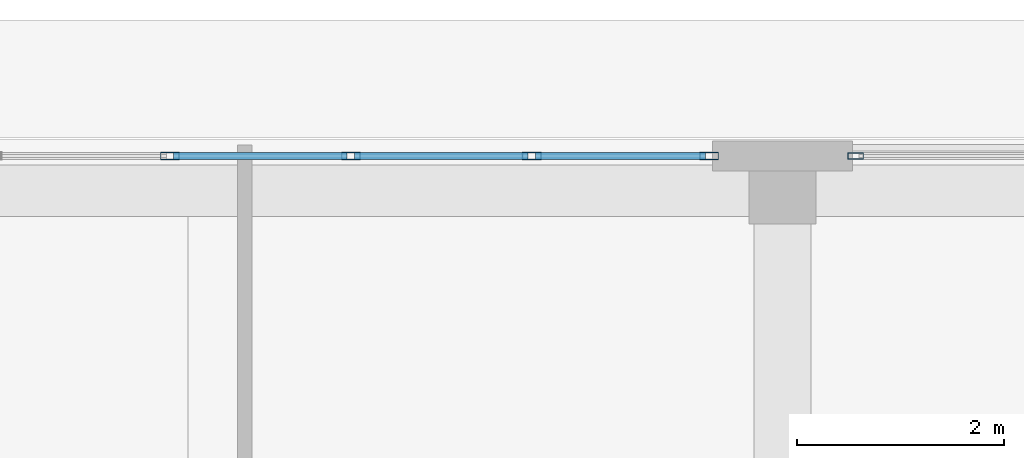
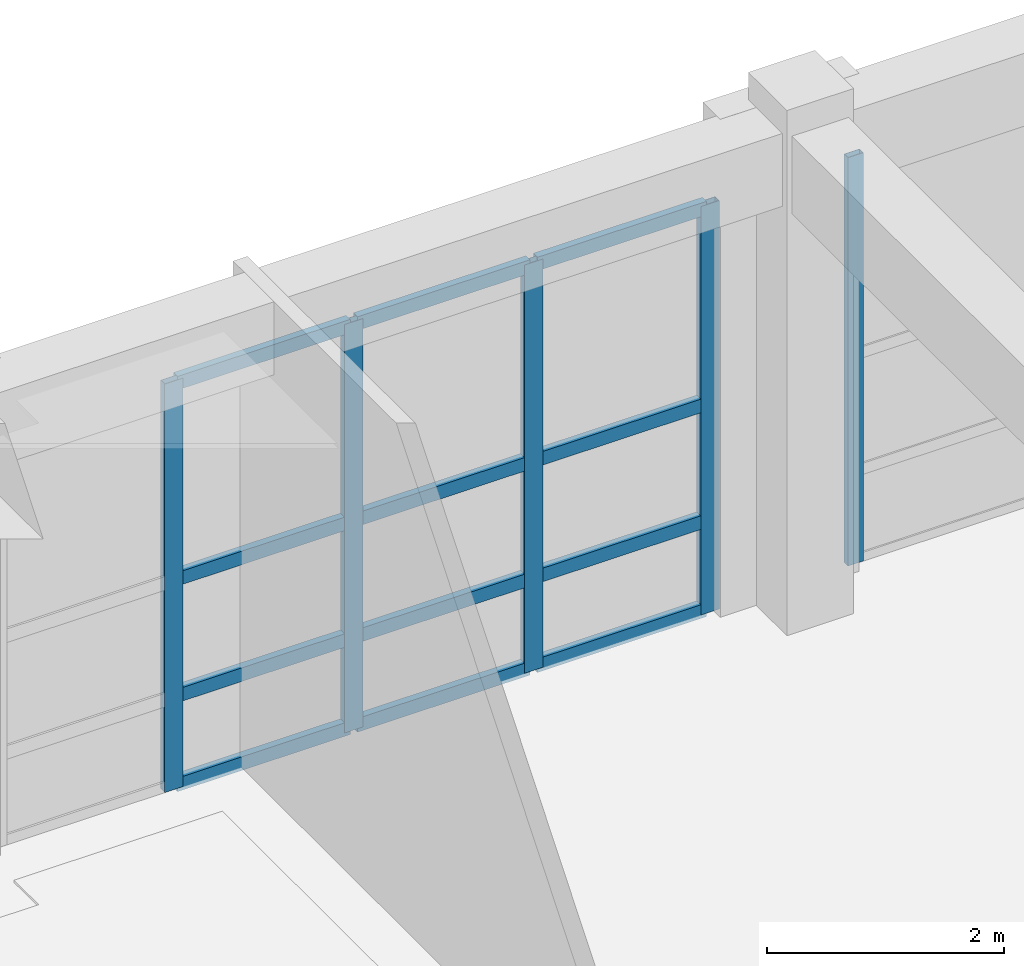
# One storey, part 106 of 148: 17 members, 2 elements without a shape of their own.
"""IFC4 building model written with IfcOpenShell, lengths in metres."""

from ifc_helpers import new_model, si_unit, direction, frame, origin, origin_2d, place, context, subcontext, project, spatial, hollow_rectangle, extrude, material, layer, layer_set, material_profile, profile_set, type_object, element, aggregate, save


model = new_model("IFC4")

# Units and contexts
model_context = context("Model", 3, precision=1e-05, world=origin(), true_north=direction((0.0, 1.0)))
body_context = subcontext(model_context, "Body", "Model", "MODEL_VIEW")
ifc_project = project(units=[si_unit("LENGTHUNIT", "METRE"), si_unit("AREAUNIT", "SQUARE_METRE"), si_unit("VOLUMEUNIT", "CUBIC_METRE"), si_unit("PLANEANGLEUNIT", "RADIAN"), si_unit("MASSUNIT", "GRAM", prefix="KILO")], contexts=[model_context])

# Site, building, storey
site_placement = place(None, origin())
site = spatial("IfcSite", under=ifc_project, at=site_placement, CompositionType="ELEMENT")
building_placement = place(site_placement, origin())
building = spatial("IfcBuilding", under=site, at=building_placement, Name="Quendrovan Civic Courthouse", CompositionType="ELEMENT")
storey_placement = place(building_placement, origin())
storey = spatial("IfcBuildingStorey", under=building, at=storey_placement, Name="L01", CompositionType="ELEMENT", Elevation=0.0)

# Curtain wall, members
ifc_material_1 = material(Name="Bronze anodised aluminium and low-E glass", Category="aluminium")
ifc_layer_1 = layer(ifc_material_1, 0.179931640625, Name="Bronze anodised aluminium and low-E glass")
ifc_layer_set_1 = layer_set([ifc_layer_1], Name="Bronze anodised aluminium and low-E glass")
curtain_wall_type_1 = type_object("IfcCurtainWallType", Name="CW-U70x42", PredefinedType="USERDEFINED", material=ifc_layer_set_1)
curtain_wall_1_placement = place(storey_placement, origin())
curtain_wall_1 = element("IfcCurtainWall", 1, at=curtain_wall_1_placement, inside=storey, type_object=curtain_wall_type_1, Name="L01 Unitised Hurricane Curtain Wall CW-040", ObjectType="UNITISED CURTAIN WALL", PredefinedType="USERDEFINED")
ifc_material_2 = material(Name="Bronze anodised aluminium", Category="aluminium")
ifc_material_profile_1 = material_profile(ifc_material_2, hollow_rectangle(XDim=0.070068359375, YDim=0.179931640625, WallThickness=0.00390625, at=origin_2d()), Name="CW-MULL-70x180")
ifc_profile_set_1 = profile_set([ifc_material_profile_1], Name="Bronze anodised aluminium")
member_type_1 = type_object("IfcMemberType", Name="CW-MULL-A", PredefinedType="MULLION", material=ifc_profile_set_1)
member_1_placement = place(storey_placement, frame((145.27490234375, 110.235107421875, 0.0), z_axis=(0.0, 0.0, 1.0), x_axis=(0.0, 1.0, 0.0)))
member_1 = element("IfcMember", 2, at=member_1_placement, type_object=member_type_1, Name="CW-040 mullion 2", PredefinedType="MULLION", context=body_context, shape_type="SweptSolid", body=[
    extrude(hollow_rectangle(XDim=0.070068359375, YDim=0.179931640625, WallThickness=0.00390625, at=origin_2d()), origin(), (0.0, 0.0, 1.0), 4.199951171875),
])
member_2_placement = place(storey_placement, frame((147.02490234375, 110.235107421875, 0.0), z_axis=(0.0, 0.0, 1.0), x_axis=(0.0, 1.0, 0.0)))
member_2 = element("IfcMember", 3, at=member_2_placement, type_object=member_type_1, Name="CW-040 mullion 3", PredefinedType="MULLION", context=body_context, shape_type="SweptSolid", body=[
    extrude(hollow_rectangle(XDim=0.070068359375, YDim=0.179931640625, WallThickness=0.00390625, at=origin_2d()), origin(), (0.0, 0.0, 1.0), 4.199951171875),
])
member_3_placement = place(storey_placement, frame((148.77490234375, 110.235107421875, 0.0), z_axis=(0.0, 0.0, 1.0), x_axis=(0.0, 1.0, 0.0)))
member_3 = element("IfcMember", 4, at=member_3_placement, type_object=member_type_1, Name="CW-040 mullion 4", PredefinedType="MULLION", context=body_context, shape_type="SweptSolid", body=[
    extrude(hollow_rectangle(XDim=0.070068359375, YDim=0.179931640625, WallThickness=0.00390625, at=origin_2d()), origin(), (0.0, 0.0, 1.0), 4.199951171875),
])
member_4_placement = place(storey_placement, frame((150.489990234375, 110.235107421875, 0.0), z_axis=(0.0, 0.0, 1.0), x_axis=(0.0, 1.0, 0.0)))
member_4 = element("IfcMember", 5, at=member_4_placement, type_object=member_type_1, Name="CW-040 mullion 5", PredefinedType="MULLION", context=body_context, shape_type="SweptSolid", body=[
    extrude(hollow_rectangle(XDim=0.070068359375, YDim=0.179931640625, WallThickness=0.00390625, at=origin_2d()), origin(), (0.0, 0.0, 1.0), 4.199951171875),
])

# Curtain wall, member
ifc_layer_2 = layer(ifc_material_1, 0.179931640625, Name="Bronze anodised aluminium and low-E glass")
ifc_layer_set_2 = layer_set([ifc_layer_2], Name="Bronze anodised aluminium and low-E glass")
curtain_wall_type_2 = type_object("IfcCurtainWallType", Name="CW-U76x42", PredefinedType="USERDEFINED", material=ifc_layer_set_2)
curtain_wall_2_placement = place(storey_placement, origin())
curtain_wall_2 = element("IfcCurtainWall", 6, at=curtain_wall_2_placement, inside=storey, type_object=curtain_wall_type_2, Name="L01 Unitised Hurricane Curtain Wall CW-041", ObjectType="UNITISED CURTAIN WALL", PredefinedType="USERDEFINED")
ifc_material_profile_2 = material_profile(ifc_material_2, hollow_rectangle(XDim=0.06494140625, YDim=0.14990234375, WallThickness=0.00390625, at=origin_2d()), Name="CW-MULL-65x150")
ifc_profile_set_2 = profile_set([ifc_material_profile_2], Name="Bronze anodised aluminium")
member_type_2 = type_object("IfcMemberType", Name="CW-MULL-B", PredefinedType="MULLION", material=ifc_profile_set_2)
member_5_placement = place(storey_placement, frame((151.907470703125, 110.235107421875, 0.0), z_axis=(0.0, 0.0, 1.0), x_axis=(0.0, 1.0, 0.0)))
member_5 = element("IfcMember", 7, at=member_5_placement, type_object=member_type_2, Name="CW-041 mullion 1", PredefinedType="MULLION", context=body_context, shape_type="SweptSolid", body=[
    extrude(hollow_rectangle(XDim=0.06494140625, YDim=0.14990234375, WallThickness=0.00390625, at=origin_2d()), origin(), (0.0, 0.0, 1.0), 4.199951171875),
])
aggregate(curtain_wall_2, [member_5])

# Member
ifc_material_profile_3 = material_profile(ifc_material_2, hollow_rectangle(XDim=0.070068359375, YDim=0.139892578125, WallThickness=0.00390625, at=origin_2d()), Name="CW-TRAN-70x140")
ifc_profile_set_3 = profile_set([ifc_material_profile_3], Name="Bronze anodised aluminium")
member_type_3 = type_object("IfcMemberType", Name="CW-TRAN-A", PredefinedType="USERDEFINED", material=ifc_profile_set_3)
member_6_placement = place(storey_placement, frame((145.31005859375, 110.235107421875, 0.034912109375), z_axis=(1.0, 0.0, 0.0), x_axis=(0.0, 1.0, 0.0)))
member_6 = element("IfcMember", 8, at=member_6_placement, type_object=member_type_3, Name="CW-040 transom 2.1", ObjectType="TRANSOM", PredefinedType="USERDEFINED", context=body_context, shape_type="SweptSolid", body=[
    extrude(hollow_rectangle(XDim=0.070068359375, YDim=0.139892578125, WallThickness=0.00390625, at=origin_2d()), origin(), (0.0, 0.0, 1.0), 1.679931640625),
])

member_7_placement = place(storey_placement, frame((145.31005859375, 110.235107421875, 0.949951171875), z_axis=(1.0, 0.0, 0.0), x_axis=(0.0, 1.0, 0.0)))
member_7 = element("IfcMember", 9, at=member_7_placement, type_object=member_type_3, Name="CW-040 transom 2.2", ObjectType="TRANSOM", PredefinedType="USERDEFINED", context=body_context, shape_type="SweptSolid", body=[
    extrude(hollow_rectangle(XDim=0.070068359375, YDim=0.139892578125, WallThickness=0.00390625, at=origin_2d()), origin(), (0.0, 0.0, 1.0), 1.679931640625),
])

member_8_placement = place(storey_placement, frame((145.31005859375, 110.235107421875, 2.14990234375), z_axis=(1.0, 0.0, 0.0), x_axis=(0.0, 1.0, 0.0)))
member_8 = element("IfcMember", 10, at=member_8_placement, type_object=member_type_3, Name="CW-040 transom 2.3", ObjectType="TRANSOM", PredefinedType="USERDEFINED", context=body_context, shape_type="SweptSolid", body=[
    extrude(hollow_rectangle(XDim=0.070068359375, YDim=0.139892578125, WallThickness=0.00390625, at=origin_2d()), origin(), (0.0, 0.0, 1.0), 1.679931640625),
])

member_9_placement = place(storey_placement, frame((145.31005859375, 110.235107421875, 4.1650390625), z_axis=(1.0, 0.0, 0.0), x_axis=(0.0, 1.0, 0.0)))
member_9 = element("IfcMember", 11, at=member_9_placement, type_object=member_type_3, Name="CW-040 transom 2.4", ObjectType="TRANSOM", PredefinedType="USERDEFINED", context=body_context, shape_type="SweptSolid", body=[
    extrude(hollow_rectangle(XDim=0.070068359375, YDim=0.139892578125, WallThickness=0.00390625, at=origin_2d()), origin(), (0.0, 0.0, 1.0), 1.679931640625),
])

member_10_placement = place(storey_placement, frame((147.06005859375, 110.235107421875, 0.034912109375), z_axis=(1.0, 0.0, 0.0), x_axis=(0.0, 1.0, 0.0)))
member_10 = element("IfcMember", 12, at=member_10_placement, type_object=member_type_3, Name="CW-040 transom 3.1", ObjectType="TRANSOM", PredefinedType="USERDEFINED", context=body_context, shape_type="SweptSolid", body=[
    extrude(hollow_rectangle(XDim=0.070068359375, YDim=0.139892578125, WallThickness=0.00390625, at=origin_2d()), origin(), (0.0, 0.0, 1.0), 1.679931640625),
])

member_11_placement = place(storey_placement, frame((147.06005859375, 110.235107421875, 0.949951171875), z_axis=(1.0, 0.0, 0.0), x_axis=(0.0, 1.0, 0.0)))
member_11 = element("IfcMember", 13, at=member_11_placement, type_object=member_type_3, Name="CW-040 transom 3.2", ObjectType="TRANSOM", PredefinedType="USERDEFINED", context=body_context, shape_type="SweptSolid", body=[
    extrude(hollow_rectangle(XDim=0.070068359375, YDim=0.139892578125, WallThickness=0.00390625, at=origin_2d()), origin(), (0.0, 0.0, 1.0), 1.679931640625),
])

member_12_placement = place(storey_placement, frame((147.06005859375, 110.235107421875, 2.14990234375), z_axis=(1.0, 0.0, 0.0), x_axis=(0.0, 1.0, 0.0)))
member_12 = element("IfcMember", 14, at=member_12_placement, type_object=member_type_3, Name="CW-040 transom 3.3", ObjectType="TRANSOM", PredefinedType="USERDEFINED", context=body_context, shape_type="SweptSolid", body=[
    extrude(hollow_rectangle(XDim=0.070068359375, YDim=0.139892578125, WallThickness=0.00390625, at=origin_2d()), origin(), (0.0, 0.0, 1.0), 1.679931640625),
])

member_13_placement = place(storey_placement, frame((147.06005859375, 110.235107421875, 4.1650390625), z_axis=(1.0, 0.0, 0.0), x_axis=(0.0, 1.0, 0.0)))
member_13 = element("IfcMember", 15, at=member_13_placement, type_object=member_type_3, Name="CW-040 transom 3.4", ObjectType="TRANSOM", PredefinedType="USERDEFINED", context=body_context, shape_type="SweptSolid", body=[
    extrude(hollow_rectangle(XDim=0.070068359375, YDim=0.139892578125, WallThickness=0.00390625, at=origin_2d()), origin(), (0.0, 0.0, 1.0), 1.679931640625),
])

member_14_placement = place(storey_placement, frame((148.81005859375, 110.235107421875, 0.034912109375), z_axis=(1.0, 0.0, 0.0), x_axis=(0.0, 1.0, 0.0)))
member_14 = element("IfcMember", 16, at=member_14_placement, type_object=member_type_3, Name="CW-040 transom 4.1", ObjectType="TRANSOM", PredefinedType="USERDEFINED", context=body_context, shape_type="SweptSolid", body=[
    extrude(hollow_rectangle(XDim=0.070068359375, YDim=0.139892578125, WallThickness=0.00390625, at=origin_2d()), origin(), (0.0, 0.0, 1.0), 1.64501953125),
])

member_15_placement = place(storey_placement, frame((148.81005859375, 110.235107421875, 0.949951171875), z_axis=(1.0, 0.0, 0.0), x_axis=(0.0, 1.0, 0.0)))
member_15 = element("IfcMember", 17, at=member_15_placement, type_object=member_type_3, Name="CW-040 transom 4.2", ObjectType="TRANSOM", PredefinedType="USERDEFINED", context=body_context, shape_type="SweptSolid", body=[
    extrude(hollow_rectangle(XDim=0.070068359375, YDim=0.139892578125, WallThickness=0.00390625, at=origin_2d()), origin(), (0.0, 0.0, 1.0), 1.64501953125),
])

member_16_placement = place(storey_placement, frame((148.81005859375, 110.235107421875, 2.14990234375), z_axis=(1.0, 0.0, 0.0), x_axis=(0.0, 1.0, 0.0)))
member_16 = element("IfcMember", 18, at=member_16_placement, type_object=member_type_3, Name="CW-040 transom 4.3", ObjectType="TRANSOM", PredefinedType="USERDEFINED", context=body_context, shape_type="SweptSolid", body=[
    extrude(hollow_rectangle(XDim=0.070068359375, YDim=0.139892578125, WallThickness=0.00390625, at=origin_2d()), origin(), (0.0, 0.0, 1.0), 1.64501953125),
])

member_17_placement = place(storey_placement, frame((148.81005859375, 110.235107421875, 4.1650390625), z_axis=(1.0, 0.0, 0.0), x_axis=(0.0, 1.0, 0.0)))
member_17 = element("IfcMember", 19, at=member_17_placement, type_object=member_type_3, Name="CW-040 transom 4.4", ObjectType="TRANSOM", PredefinedType="USERDEFINED", context=body_context, shape_type="SweptSolid", body=[
    extrude(hollow_rectangle(XDim=0.070068359375, YDim=0.139892578125, WallThickness=0.00390625, at=origin_2d()), origin(), (0.0, 0.0, 1.0), 1.64501953125),
])

aggregate(curtain_wall_1, [member_1, member_2, member_3, member_4, member_6, member_7, member_8, member_9, member_10, member_11, member_12, member_13, member_14, member_15, member_16, member_17])

save(model, "model.ifc")
